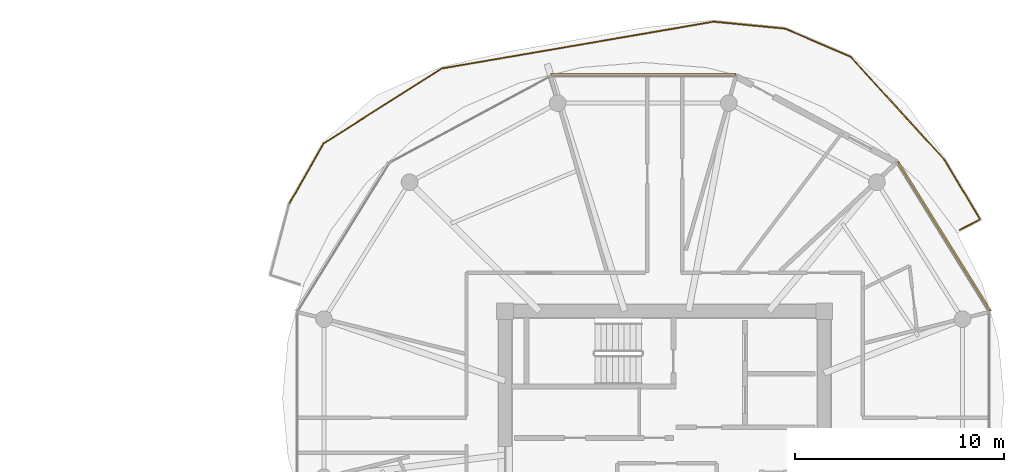
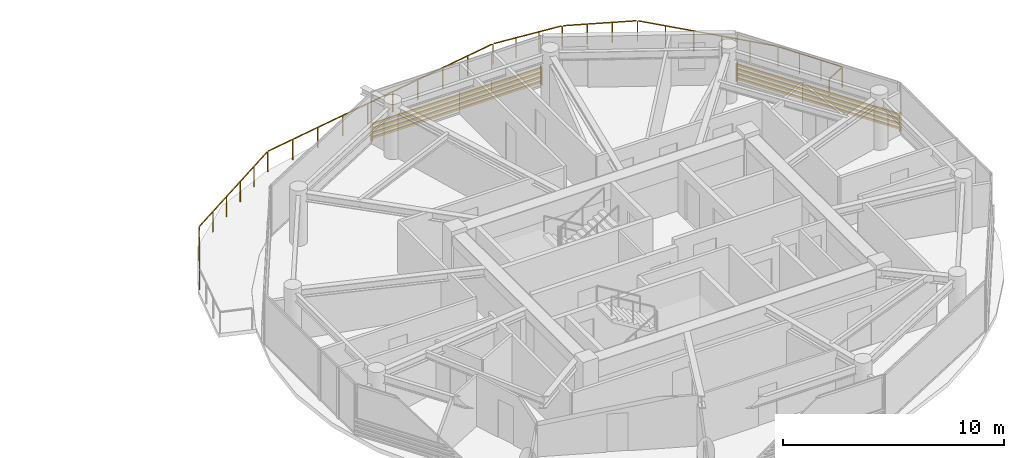
# One storey, part 22 of 22: 2 shading devices, 1 railing.
"""IFC4 building model written with IfcOpenShell, lengths in metres."""

import ifcopenshell
import ifcopenshell.guid

model = None  # the IFC model being written
_history = None  # IfcOwnerHistory: only IFC2X3 demands one
_inside = {}  # id of a spatial element -> (the spatial element, [elements in it])
_under = {}  # id of a project, library or spatial element -> (it, [spatial elements below it])
_declared = {}  # id of a project -> (the project, [libraries it declares])
_typed = {}  # id of a type object -> (the type object, [elements of that type])
_made_of = {}  # id of a material, layer set ... -> (it, [elements and type objects made of it])


def new_model(schema):
    """Start an empty IFC model of exactly this schema.

    Asked for "IFC4X3", IfcOpenShell would pick the latest addendum, in which some entities
    have other attributes; the version numbers below select the first issue.
    IFC2X3 requires an IfcOwnerHistory on every rooted entity: one is made here for all.
    """
    global model, _history
    if schema == "IFC4X3":
        model = ifcopenshell.file(schema_version=(4, 3, 0, 0))
    else:
        model = ifcopenshell.file(schema=schema)
    _inside.clear()
    _under.clear()
    _declared.clear()
    _typed.clear()
    _made_of.clear()
    _history = None
    if model.schema == "IFC2X3":
        org = make("IfcOrganization", Name="unknown")
        user = make(
            "IfcPersonAndOrganization",
            ThePerson=make("IfcPerson", FamilyName="unknown"),
            TheOrganization=org,
        )
        app = make(
            "IfcApplication",
            ApplicationDeveloper=org,
            Version="unknown",
            ApplicationFullName="unknown",
            ApplicationIdentifier="unknown",
        )
        _history = make(
            "IfcOwnerHistory",
            OwningUser=user,
            OwningApplication=app,
            ChangeAction="ADDED",
            CreationDate=0,
        )
    return model


def make(cls, **values):
    """One entity of the class cls with the attributes given. An attribute that is None is left unset."""
    return model.create_entity(
        cls, **{name: value for name, value in values.items() if value is not None}
    )


def rooted(cls, **values):
    """An entity with a GlobalId (a new one), such as an element, a storey or a relation."""
    return make(cls, GlobalId=ifcopenshell.guid.new(), OwnerHistory=_history, **values)


def si_unit(unit_type, name, prefix=None):
    """IfcSIUnit, for example si_unit("LENGTHUNIT", "METRE", prefix="MILLI")."""
    return make("IfcSIUnit", UnitType=unit_type, Prefix=prefix, Name=name)


def assignment(units):
    """IfcUnitAssignment: the units of a project."""
    return None if units is None else make("IfcUnitAssignment", Units=units)


def point(xyz):
    """IfcCartesianPoint."""
    return None if xyz is None else make("IfcCartesianPoint", Coordinates=xyz)


def direction(xyz):
    """IfcDirection."""
    return None if xyz is None else make("IfcDirection", DirectionRatios=xyz)


def frame(location, z_axis=None, x_axis=None):
    """IfcAxis2Placement3D, a coordinate frame: its origin and axes. An axis left out is left unset."""
    return make(
        "IfcAxis2Placement3D",
        Location=point(location),
        Axis=direction(z_axis),
        RefDirection=direction(x_axis),
    )


def frame_2d(location, x_axis=None):
    """IfcAxis2Placement2D, a coordinate frame in the plane: its origin and x axis."""
    return make(
        "IfcAxis2Placement2D", Location=point(location), RefDirection=direction(x_axis)
    )


def origin():
    """The frame at (0, 0, 0) with its axes left unset."""
    return frame((0.0, 0.0, 0.0))


def origin_2d():
    """The frame at (0, 0) in the plane with its x axis left unset."""
    return frame_2d((0.0, 0.0))


def place(relative_to, where):
    """IfcLocalPlacement: puts the frame where relative to a parent placement (None: the world)."""
    return make(
        "IfcLocalPlacement", PlacementRelTo=relative_to, RelativePlacement=where
    )


def context(
    kind, dimensions, precision=None, world=None, true_north=None, identifier=None
):
    """IfcGeometricRepresentationContext, for example the 3D "Model" context."""
    return make(
        "IfcGeometricRepresentationContext",
        ContextIdentifier=identifier,
        ContextType=kind,
        CoordinateSpaceDimension=dimensions,
        Precision=precision,
        WorldCoordinateSystem=world,
        TrueNorth=true_north,
    )


def subcontext(parent, identifier, kind, view, scale=None):
    """IfcGeometricRepresentationSubContext, for example "Body" below "Model"."""
    return make(
        "IfcGeometricRepresentationSubContext",
        ContextIdentifier=identifier,
        ContextType=kind,
        ParentContext=parent,
        TargetScale=scale,
        TargetView=view,
    )


def project(units=None, contexts=None):
    """IfcProject with its units and contexts."""
    return rooted(
        "IfcProject",
        Name="project",
        RepresentationContexts=contexts,
        UnitsInContext=assignment(units),
    )


def spatial(cls, under=None, at=None, **own):
    """A site, building, storey or space (cls), placed at a placement, below another one or the project."""
    s = rooted(cls, ObjectPlacement=at, **own)
    if under is not None:
        _under.setdefault(under.id(), (under, []))[1].append(s)
    return s


def profile(cls, at=None, kind="AREA", **sizes):
    """A parametric profile (cls). Its sizes go by their IFC names, for example OverallWidth=200.0."""
    return make(cls, ProfileType=kind, Position=at, **sizes)


def rectangle(**sizes):
    """IfcRectangleProfileDef."""
    return profile("IfcRectangleProfileDef", **sizes)


def extrude(swept, where, along, depth):
    """IfcExtrudedAreaSolid: the profile swept, set in the frame where, extruded along a direction by depth."""
    return make(
        "IfcExtrudedAreaSolid",
        SweptArea=swept,
        Position=where,
        ExtrudedDirection=direction(along),
        Depth=depth,
    )


def shape(context_of_items, identifier, shape_type, items):
    """IfcShapeRepresentation: the items that make up one representation, for example the "Body"."""
    return make(
        "IfcShapeRepresentation",
        ContextOfItems=context_of_items,
        RepresentationIdentifier=identifier,
        RepresentationType=shape_type,
        Items=items,
    )


def source(mapping_origin, context_of_items, identifier, shape_type, items):
    """IfcRepresentationMap: a shape defined once, which mapped items show again and again."""
    return make(
        "IfcRepresentationMap",
        MappingOrigin=mapping_origin,
        MappedRepresentation=shape(context_of_items, identifier, shape_type, items),
    )


def transform(
    local_origin,
    x_axis=None,
    y_axis=None,
    z_axis=None,
    scale=None,
    scale2=None,
    scale3=None,
    uniform=True,
):
    """IfcCartesianTransformationOperator3D, or its non-uniform kind. x_axis, y_axis, z_axis: its Axis1, 2, 3."""
    if uniform:
        return make(
            "IfcCartesianTransformationOperator3D",
            Axis1=direction(x_axis),
            Axis2=direction(y_axis),
            LocalOrigin=point(local_origin),
            Scale=scale,
            Axis3=direction(z_axis),
        )
    return make(
        "IfcCartesianTransformationOperator3DnonUniform",
        Axis1=direction(x_axis),
        Axis2=direction(y_axis),
        LocalOrigin=point(local_origin),
        Scale=scale,
        Axis3=direction(z_axis),
        Scale2=scale2,
        Scale3=scale3,
    )


def mapped(mapping_source, mapping_target):
    """IfcMappedItem: shows the shape of a source again, moved by a transform."""
    return make(
        "IfcMappedItem", MappingSource=mapping_source, MappingTarget=mapping_target
    )


def material(Name=None, Category=None):
    """IfcMaterial."""
    return make("IfcMaterial", Name=Name, Category=Category)


def made_of(thing, what):
    """Note that an element or type object is made of a material, layer set ...; save() writes the relation."""
    if what is not None:
        _made_of.setdefault(what.id(), (what, []))[1].append(thing)
    return thing


def type_object(cls, material=None, **own):
    """A type object (cls), such as IfcWallType, which elements share."""
    return made_of(rooted(cls, **own), material)


def type_shapes(of_type, sources):
    """Give a type object the sources (RepresentationMaps) that its elements show as mapped items."""
    of_type.RepresentationMaps = sources


def element(
    cls,
    number,
    at=None,
    inside=None,
    cuts=None,
    type_object=None,
    material=None,
    context=None,
    identifier="Body",
    shape_type=None,
    held_by="IfcProductDefinitionShape",
    body=None,
    shapes=None,
    **own,
):
    """One element of the class cls, such as IfcWall. Its Tag is "e" and its number.

    at: its placement. inside: the storey or other place that contains it. cuts: it is an
    opening in that element (IfcRelVoidsElement). A single representation is given by context,
    identifier, shape_type and body (its items); several are given by shapes. held_by: the class
    of the entity that holds the representations. save() writes the other relations.
    """
    e = rooted(cls, Tag="e%d" % number, ObjectPlacement=at, **own)
    if body is not None:
        shapes = [shape(context, identifier, shape_type, body)]
    if shapes is not None:
        e.Representation = make(held_by, Representations=shapes)
    if inside is not None:
        _inside.setdefault(inside.id(), (inside, []))[1].append(e)
    if cuts is not None:
        rooted(
            "IfcRelVoidsElement", RelatingBuildingElement=cuts, RelatedOpeningElement=e
        )
    if type_object is not None:
        _typed.setdefault(type_object.id(), (type_object, []))[1].append(e)
    return made_of(e, material)


def aggregate(whole, parts):
    """IfcRelAggregates: a whole, such as a stair, and the parts it consists of."""
    return rooted("IfcRelAggregates", RelatingObject=whole, RelatedObjects=parts)


def save(model, path):
    """Write the relations noted so far, then the file.

    IfcRelAggregates (storeys below a building ...), IfcRelContainedInSpatialStructure (elements
    in a storey), IfcRelDefinesByType, IfcRelAssociatesMaterial and IfcRelDeclares: one each for
    every whole, place, type object, material and project.
    """
    for whole, parts in _under.values():
        aggregate(whole, parts)
    for where, things in _inside.values():
        rooted(
            "IfcRelContainedInSpatialStructure",
            RelatedElements=things,
            RelatingStructure=where,
        )
    for kind, things in _typed.values():
        rooted("IfcRelDefinesByType", RelatedObjects=things, RelatingType=kind)
    for what, things in _made_of.values():
        rooted("IfcRelAssociatesMaterial", RelatedObjects=things, RelatingMaterial=what)
    for by, libraries in _declared.values():
        rooted("IfcRelDeclares", RelatingContext=by, RelatedDefinitions=libraries)
    model.write(path)


model = new_model("IFC4")

# Units and contexts
model_context = context("Model", 3, precision=1e-05, world=origin(), true_north=direction((0.0, 1.0)))
body_context = subcontext(model_context, "Body", "Model", "MODEL_VIEW")
ifc_project = project(units=[si_unit("LENGTHUNIT", "METRE"), si_unit("AREAUNIT", "SQUARE_METRE"), si_unit("VOLUMEUNIT", "CUBIC_METRE"), si_unit("PLANEANGLEUNIT", "RADIAN"), si_unit("MASSUNIT", "GRAM", prefix="KILO")], contexts=[model_context])

# Site, building, storey
site_placement = place(None, origin())
site = spatial("IfcSite", under=ifc_project, at=site_placement, CompositionType="ELEMENT")
building_placement = place(site_placement, origin())
building = spatial("IfcBuilding", under=site, at=building_placement, Name="Norrkilde Senior Care Towers", CompositionType="ELEMENT")
storey_placement = place(building_placement, frame((0.0, 0.0, 180.050048828125)))
storey = spatial("IfcBuildingStorey", under=building, at=storey_placement, Name="L56", CompositionType="ELEMENT", Elevation=180.050048828125)

# Railing
ifc_material_1 = material(Name="Anodised Aluminium", Category="aluminium")
railing_type = type_object("IfcRailingType", Name="Balcony Swirl Ribbon Guardrail 1150", PredefinedType="GUARDRAIL", material=ifc_material_1)
railing_placement = place(storey_placement, frame((9.99365234375, 11.0810546875, 0.0)))
element("IfcRailing", 1, at=railing_placement, inside=storey, type_object=railing_type, Name="L56 Perimeter Safety Guard 01", PredefinedType="GUARDRAIL", context=body_context, shape_type="SweptSolid", body=[
    extrude(rectangle(XDim=0.048095703125, YDim=0.048095703125, at=origin_2d()), frame((0.0, 0.0, 1.1259765625), z_axis=(0.49504093983, 0.86886964954, 0.0), x_axis=(-0.86886964954, 0.49504093983, 0.0)), (0.0, 0.0, 1.0), 3.312744140625),
    extrude(rectangle(XDim=0.048095703125, YDim=0.048095703125, at=origin_2d()), frame((1.694580078125, 2.935791015625, 1.1259765625), z_axis=(0.844108573391, 0.53617228232, 0.0), x_axis=(-0.53617228232, 0.844108573391, 0.0)), (0.0, 0.0, 1.0), 6.614501953125),
    extrude(rectangle(XDim=0.048095703125, YDim=0.048095703125, at=origin_2d()), frame((7.352783203125, 6.510986328125, 1.1259765625), z_axis=(0.985492463196, 0.169719194507, 0.0), x_axis=(-0.169719194507, 0.985492463196, 0.0)), (0.0, 0.0, 1.0), 13.158203125),
    extrude(rectangle(XDim=0.048095703125, YDim=0.048095703125, at=origin_2d()), frame((20.401123046875, 8.747314453125, 1.1259765625), z_axis=(0.995273964631, -0.097106824308, 0.0), x_axis=(0.097106824308, 0.995273964631, 0.0)), (0.0, 0.0, 1.0), 3.357666015625),
    extrude(rectangle(XDim=0.048095703125, YDim=0.048095703125, at=origin_2d()), frame((23.821044921875, 8.401123046875, 1.1259765625), z_axis=(0.918646415841, -0.395080703987, 0.0), x_axis=(0.395080703987, 0.918646415841, 0.0)), (0.0, 0.0, 1.0), 3.34228515625),
    extrude(rectangle(XDim=0.048095703125, YDim=0.048095703125, at=origin_2d()), frame((26.95654296875, 7.0341796875, 1.1259765625), z_axis=(0.673508209909, -0.739179742137, 0.0), x_axis=(0.739179742137, 0.673508209909, 0.0)), (0.0, 0.0, 1.0), 6.59130859375),
    extrude(rectangle(XDim=0.048095703125, YDim=0.048095703125, at=origin_2d()), frame((31.4443359375, 2.0966796875, 1.1259765625), z_axis=(0.512757642797, -0.858533400488, 0.0), x_axis=(0.858533400488, 0.512757642797, 0.0)), (0.0, 0.0, 1.0), 3.245849609375),
    extrude(rectangle(XDim=0.048095703125, YDim=0.048095703125, at=origin_2d()), frame((33.093505859375, -0.744140625, 1.1259765625), z_axis=(-0.885052945749, -0.465490368559, 0.0), x_axis=(0.465490368559, -0.885052945749, 0.0)), (0.0, 0.0, 1.0), 1.0595703125),
    extrude(rectangle(XDim=0.0419921875, YDim=0.0419921875, at=origin_2d()), origin(), (0.0, 0.0, 1.0), 1.099853515625),
    extrude(rectangle(XDim=0.0419921875, YDim=0.0419921875, at=origin_2d()), frame((0.553466796875, 0.97119140625, 0.0)), (0.0, 0.0, 1.0), 1.099853515625),
    extrude(rectangle(XDim=0.0419921875, YDim=0.0419921875, at=origin_2d()), frame((1.106689453125, 1.942626953125, 0.0)), (0.0, 0.0, 1.0), 1.099853515625),
    extrude(rectangle(XDim=0.0419921875, YDim=0.0419921875, at=origin_2d()), frame((1.66015625, 2.913818359375, 0.0)), (0.0, 0.0, 1.0), 1.099853515625),
    extrude(rectangle(XDim=0.0419921875, YDim=0.0419921875, at=origin_2d()), frame((2.79052734375, 3.6318359375, 0.0)), (0.0, 0.0, 1.0), 1.099853515625),
    extrude(rectangle(XDim=0.0419921875, YDim=0.0419921875, at=origin_2d()), frame((3.921142578125, 4.349853515625, 0.0)), (0.0, 0.0, 1.0), 1.099853515625),
    extrude(rectangle(XDim=0.0419921875, YDim=0.0419921875, at=origin_2d()), frame((5.051513671875, 5.068115234375, 0.0)), (0.0, 0.0, 1.0), 1.099853515625),
    extrude(rectangle(XDim=0.0419921875, YDim=0.0419921875, at=origin_2d()), frame((6.18212890625, 5.7861328125, 0.0)), (0.0, 0.0, 1.0), 1.099853515625),
    extrude(rectangle(XDim=0.0419921875, YDim=0.0419921875, at=origin_2d()), frame((7.3125, 6.504150390625, 0.0)), (0.0, 0.0, 1.0), 1.099853515625),
    extrude(rectangle(XDim=0.0419921875, YDim=0.0419921875, at=origin_2d()), frame((8.76220703125, 6.75390625, 0.0)), (0.0, 0.0, 1.0), 1.099853515625),
    extrude(rectangle(XDim=0.0419921875, YDim=0.0419921875, at=origin_2d()), frame((10.2119140625, 7.00341796875, 0.0)), (0.0, 0.0, 1.0), 1.099853515625),
    extrude(rectangle(XDim=0.0419921875, YDim=0.0419921875, at=origin_2d()), frame((11.661865234375, 7.253173828125, 0.0)), (0.0, 0.0, 1.0), 1.099853515625),
    extrude(rectangle(XDim=0.0419921875, YDim=0.0419921875, at=origin_2d()), frame((13.111572265625, 7.5029296875, 0.0)), (0.0, 0.0, 1.0), 1.099853515625),
    extrude(rectangle(XDim=0.0419921875, YDim=0.0419921875, at=origin_2d()), frame((14.561279296875, 7.75244140625, 0.0)), (0.0, 0.0, 1.0), 1.099853515625),
    extrude(rectangle(XDim=0.0419921875, YDim=0.0419921875, at=origin_2d()), frame((16.010986328125, 8.002197265625, 0.0)), (0.0, 0.0, 1.0), 1.099853515625),
    extrude(rectangle(XDim=0.0419921875, YDim=0.0419921875, at=origin_2d()), frame((17.4609375, 8.251953125, 0.0)), (0.0, 0.0, 1.0), 1.099853515625),
    extrude(rectangle(XDim=0.0419921875, YDim=0.0419921875, at=origin_2d()), frame((18.91064453125, 8.50146484375, 0.0)), (0.0, 0.0, 1.0), 1.099853515625),
    extrude(rectangle(XDim=0.0419921875, YDim=0.0419921875, at=origin_2d()), frame((20.3603515625, 8.751220703125, 0.0)), (0.0, 0.0, 1.0), 1.099853515625),
    extrude(rectangle(XDim=0.0419921875, YDim=0.0419921875, at=origin_2d()), frame((21.50146484375, 8.639892578125, 0.0)), (0.0, 0.0, 1.0), 1.099853515625),
    extrude(rectangle(XDim=0.0419921875, YDim=0.0419921875, at=origin_2d()), frame((22.642333984375, 8.528564453125, 0.0)), (0.0, 0.0, 1.0), 1.099853515625),
    extrude(rectangle(XDim=0.0419921875, YDim=0.0419921875, at=origin_2d()), frame((23.783447265625, 8.417236328125, 0.0)), (0.0, 0.0, 1.0), 1.099853515625),
    extrude(rectangle(XDim=0.0419921875, YDim=0.0419921875, at=origin_2d()), frame((24.83203125, 7.96630859375, 0.0)), (0.0, 0.0, 1.0), 1.099853515625),
    extrude(rectangle(XDim=0.0419921875, YDim=0.0419921875, at=origin_2d()), frame((25.88037109375, 7.515380859375, 0.0)), (0.0, 0.0, 1.0), 1.099853515625),
    extrude(rectangle(XDim=0.0419921875, YDim=0.0419921875, at=origin_2d()), frame((26.928955078125, 7.064453125, 0.0)), (0.0, 0.0, 1.0), 1.099853515625),
    extrude(rectangle(XDim=0.0419921875, YDim=0.0419921875, at=origin_2d()), frame((27.827880859375, 6.077880859375, 0.0)), (0.0, 0.0, 1.0), 1.099853515625),
    extrude(rectangle(XDim=0.0419921875, YDim=0.0419921875, at=origin_2d()), frame((28.726806640625, 5.09130859375, 0.0)), (0.0, 0.0, 1.0), 1.099853515625),
    extrude(rectangle(XDim=0.0419921875, YDim=0.0419921875, at=origin_2d()), frame((29.62548828125, 4.10498046875, 0.0)), (0.0, 0.0, 1.0), 1.099853515625),
    extrude(rectangle(XDim=0.0419921875, YDim=0.0419921875, at=origin_2d()), frame((30.5244140625, 3.118408203125, 0.0)), (0.0, 0.0, 1.0), 1.099853515625),
    extrude(rectangle(XDim=0.0419921875, YDim=0.0419921875, at=origin_2d()), frame((31.42333984375, 2.1318359375, 0.0)), (0.0, 0.0, 1.0), 1.099853515625),
    extrude(rectangle(XDim=0.0419921875, YDim=0.0419921875, at=origin_2d()), frame((31.9921875, 1.179443359375, 0.0)), (0.0, 0.0, 1.0), 1.099853515625),
    extrude(rectangle(XDim=0.0419921875, YDim=0.0419921875, at=origin_2d()), frame((32.560791015625, 0.227294921875, 0.0)), (0.0, 0.0, 1.0), 1.099853515625),
    extrude(rectangle(XDim=0.0419921875, YDim=0.0419921875, at=origin_2d()), frame((33.129638671875, -0.72509765625, 0.0)), (0.0, 0.0, 1.0), 1.099853515625),
    extrude(rectangle(XDim=0.0419921875, YDim=0.0419921875, at=origin_2d()), frame((32.15576171875, -1.2373046875, 0.0)), (0.0, 0.0, 1.0), 1.099853515625),
])

# Shading devices
ifc_material_2 = material(Name="Architectural Terracotta", Category="masonry")
shading_device_type = type_object("IfcShadingDeviceType", Name="Horizontal Terracotta Baguette Rack", PredefinedType="USERDEFINED", material=ifc_material_2)
shared_shape_1 = source(origin(), body_context, "Body", "SweptSolid", [
    extrude(rectangle(XDim=0.070068359375, YDim=0.110107421875, at=origin_2d()), frame((0.0, 0.090087890625, 0.125), z_axis=(1.0, 0.0, 0.0), x_axis=(0.0, 1.0, 0.0)), (0.0, 0.0, 1.0), 8.89306640625),
    extrude(rectangle(XDim=0.070068359375, YDim=0.110107421875, at=origin_2d()), frame((0.0, 0.090087890625, 0.375), z_axis=(1.0, 0.0, 0.0), x_axis=(0.0, 1.0, 0.0)), (0.0, 0.0, 1.0), 8.89306640625),
    extrude(rectangle(XDim=0.070068359375, YDim=0.110107421875, at=origin_2d()), frame((0.0, 0.090087890625, 0.625), z_axis=(1.0, 0.0, 0.0), x_axis=(0.0, 1.0, 0.0)), (0.0, 0.0, 1.0), 8.89306640625),
    extrude(rectangle(XDim=0.070068359375, YDim=0.110107421875, at=origin_2d()), frame((0.0, 0.090087890625, 0.875), z_axis=(1.0, 0.0, 0.0), x_axis=(0.0, 1.0, 0.0)), (0.0, 0.0, 1.0), 8.89306640625),
    extrude(rectangle(XDim=0.050048828125, YDim=0.1552734375, at=origin_2d()), frame((0.02490234375, 0.047607421875, 0.0)), (0.0, 0.0, 1.0), 1.0),
    extrude(rectangle(XDim=0.050048828125, YDim=0.1552734375, at=origin_2d()), frame((8.8681640625, 0.047607421875, 0.0)), (0.0, 0.0, 1.0), 1.0),
])
shading_device_1_placement = place(storey_placement, frame((22.528564453125, 17.2109375, 0.079833984375), z_axis=(0.0, 0.0, 1.0), x_axis=(1.0, 0.0, 0.0)))
element("IfcShadingDevice", 2, at=shading_device_1_placement, inside=storey, type_object=shading_device_type, Name="L56 Drum E Terracotta Baguette Screen 02", ObjectType="BAGUETTE", PredefinedType="USERDEFINED", context=body_context, shape_type="MappedRepresentation", body=[
    mapped(shared_shape_1, transform((0.0, 0.0, 0.0), x_axis=(1.0, 0.0, 0.0), y_axis=(0.0, 1.0, 0.0), z_axis=(0.0, 0.0, 1.0), scale=1.0)),
])
shared_shape_2 = source(origin(), body_context, "Body", "SweptSolid", [
    extrude(rectangle(XDim=0.070068359375, YDim=0.110107421875, at=origin_2d()), frame((0.0, 0.090087890625, 0.125), z_axis=(1.0, 0.0, 0.0), x_axis=(0.0, 1.0, 0.0)), (0.0, 0.0, 1.0), 8.431396484375),
    extrude(rectangle(XDim=0.070068359375, YDim=0.110107421875, at=origin_2d()), frame((0.0, 0.090087890625, 0.375), z_axis=(1.0, 0.0, 0.0), x_axis=(0.0, 1.0, 0.0)), (0.0, 0.0, 1.0), 8.431396484375),
    extrude(rectangle(XDim=0.070068359375, YDim=0.110107421875, at=origin_2d()), frame((0.0, 0.090087890625, 0.625), z_axis=(1.0, 0.0, 0.0), x_axis=(0.0, 1.0, 0.0)), (0.0, 0.0, 1.0), 8.431396484375),
    extrude(rectangle(XDim=0.070068359375, YDim=0.110107421875, at=origin_2d()), frame((0.0, 0.090087890625, 0.875), z_axis=(1.0, 0.0, 0.0), x_axis=(0.0, 1.0, 0.0)), (0.0, 0.0, 1.0), 8.431396484375),
    extrude(rectangle(XDim=0.050048828125, YDim=0.1552734375, at=origin_2d()), frame((0.02490234375, 0.047607421875, 0.0)), (0.0, 0.0, 1.0), 1.0),
    extrude(rectangle(XDim=0.050048828125, YDim=0.1552734375, at=origin_2d()), frame((8.40625, 0.047607421875, 0.0)), (0.0, 0.0, 1.0), 1.0),
])
type_shapes(shading_device_type, [shared_shape_1, shared_shape_2])
shading_device_2_placement = place(storey_placement, frame((39.123046875, 13.074951171875, 0.079833984375), z_axis=(0.0, 0.0, 1.0), x_axis=(0.527378022296, -0.849630809324, 0.0)))
element("IfcShadingDevice", 3, at=shading_device_2_placement, inside=storey, type_object=shading_device_type, Name="L56 Drum E Terracotta Baguette Screen 00", ObjectType="BAGUETTE", PredefinedType="USERDEFINED", context=body_context, shape_type="MappedRepresentation", body=[
    mapped(shared_shape_2, transform((0.0, 0.0, 0.0), x_axis=(1.0, 0.0, 0.0), y_axis=(0.0, 1.0, 0.0), z_axis=(0.0, 0.0, 1.0), scale=1.0)),
])

save(model, "model.ifc")
